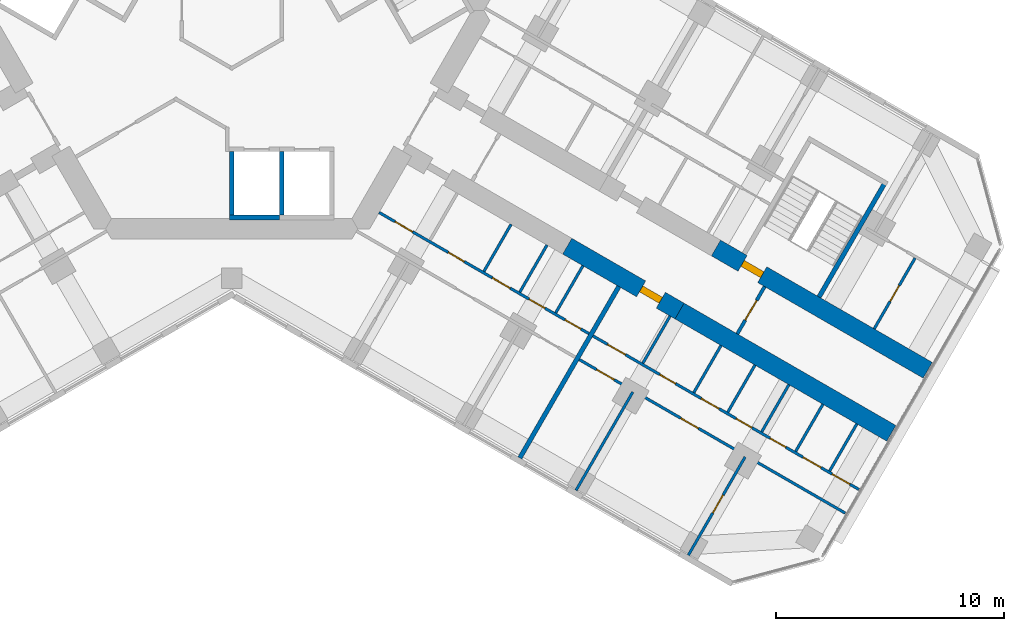
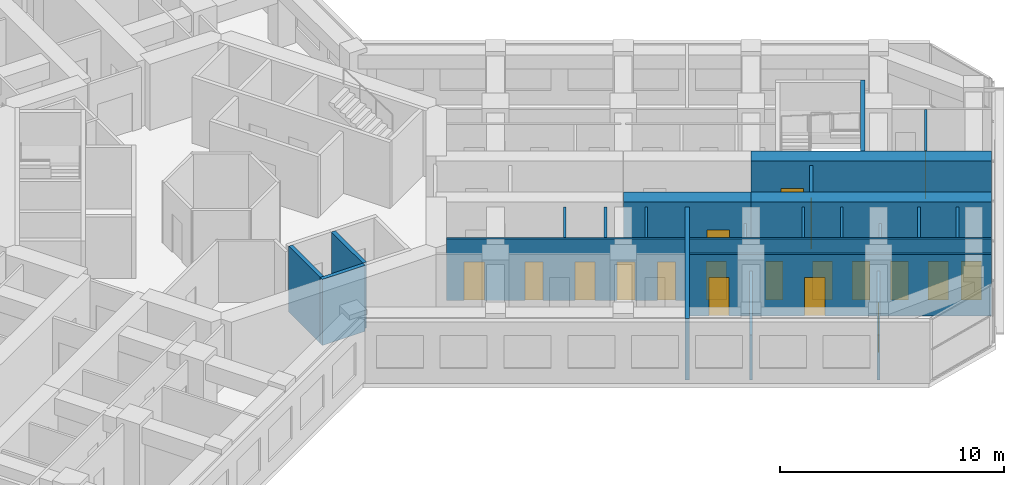
# One storey, part 14 of 20: 24 walls, 19 doors, 19 openings.
"""IFC4 building model written with IfcOpenShell, lengths in metres."""

from ifc_helpers import new_model, si_unit, direction, frame, frame_2d, origin, place, context, subcontext, project, spatial, rectangle, extrude, material, layer, layer_set, type_object, element, fill, save


model = new_model("IFC4")

# Units and contexts
model_context = context("Model", 3, precision=1e-05, world=origin(), true_north=direction((0.0, 1.0)))
body_context = subcontext(model_context, "Body", "Model", "MODEL_VIEW")
ifc_project = project(units=[si_unit("LENGTHUNIT", "METRE"), si_unit("AREAUNIT", "SQUARE_METRE"), si_unit("VOLUMEUNIT", "CUBIC_METRE"), si_unit("PLANEANGLEUNIT", "RADIAN"), si_unit("MASSUNIT", "GRAM", prefix="KILO")], contexts=[model_context])

# Site, building, storey
site_placement = place(None, origin())
site = spatial("IfcSite", under=ifc_project, at=site_placement, CompositionType="ELEMENT")
building_placement = place(site_placement, origin())
building = spatial("IfcBuilding", under=site, at=building_placement, Name="Kosmar Iwan School Tower", CompositionType="ELEMENT")
storey_placement = place(building_placement, frame((0.0, 0.0, 131.0)))
storey = spatial("IfcBuildingStorey", under=building, at=storey_placement, Name="L32", CompositionType="ELEMENT", Elevation=131.0)

# Wall, opening, door
ifc_material_1 = material(Name="Concrete C50/60", Category="concrete")
ifc_layer_1 = layer(ifc_material_1, 0.800048828125)
ifc_layer_set_1 = layer_set([ifc_layer_1], Name="Corridor buttress wall 800")
wall_type_1 = type_object("IfcWallType", Name="Corridor buttress wall 800", PredefinedType="SHEAR", material=ifc_layer_set_1)
wall_1_placement = place(storey_placement, frame((21.281494140625, -10.439453125, 0.0), z_axis=(0.0, 0.0, 1.0), x_axis=(0.866032345022, -0.499987977232, 0.0)))
wall_1 = element("IfcWall", 1, at=wall_1_placement, inside=storey, type_object=wall_type_1, Name="Corridor wall CL bay 3", PredefinedType="SHEAR", context=body_context, shape_type="SweptSolid", body=[
    extrude(rectangle(XDim=10.744873046875, YDim=0.800048828125, at=frame_2d((5.37255859375, 0.0))), origin(), (0.0, 0.0, 1.0), 3.60009765625),
])
opening_1_placement = place(wall_1_placement, frame((1.35009765625, 0.0, 0.0)))
opening_1 = element("IfcOpeningElement", 2, at=opening_1_placement, cuts=wall_1, Name="Opening D6", PredefinedType="OPENING", context=body_context, shape_type="SweptSolid", body=[
    extrude(rectangle(XDim=1.0, YDim=2.10009765625, at=frame_2d((0.5, 1.050048828125))), frame((0.0, 0.412109375, 0.0), z_axis=(0.0, -1.0, 0.0), x_axis=(1.0, 0.0, 0.0)), (0.0, 0.0, 1.0), 0.823974609375),
])
ifc_material_2 = material(Name="Steel fire door", Category="steel")
door_type_1 = type_object("IfcDoorType", Name="Stair door 1000x2100", OperationType="SINGLE_SWING_LEFT", PredefinedType="DOOR", material=ifc_material_2)
door_1_placement = place(opening_1_placement, origin())
door_1 = element("IfcDoor", 3, at=door_1_placement, inside=storey, type_object=door_type_1, Name="Stair WS3 door L32", OperationType="SINGLE_SWING_LEFT", OverallHeight=2.10009765625, OverallWidth=1.0, PredefinedType="DOOR", context=body_context, shape_type="SweptSolid", body=[
    extrude(rectangle(XDim=1.0, YDim=2.10009765625, at=frame_2d((0.5, 1.050048828125))), frame((0.0, 0.14990234375, 0.0), z_axis=(0.0, -1.0, 0.0), x_axis=(1.0, 0.0, 0.0)), (0.0, 0.0, 1.0), 0.300048828125),
])
fill(opening_1, door_1)

wall_2_placement = place(storey_placement, frame((14.7451171875, -10.360595703125, 0.0), z_axis=(0.0, 0.0, 1.0), x_axis=(0.866015111908, -0.50001782563, 0.0)))
wall_2 = element("IfcWall", 4, at=wall_2_placement, inside=storey, type_object=wall_type_1, Name="Corridor wall CR bay 2", PredefinedType="SHEAR", context=body_context, shape_type="SweptSolid", body=[
    extrude(rectangle(XDim=5.699951171875, YDim=0.800048828125, at=frame_2d((2.85009765625, 0.0))), origin(), (0.0, 0.0, 1.0), 3.60009765625),
])
opening_2_placement = place(wall_2_placement, frame((3.75, 0.0, 0.0)))
opening_2 = element("IfcOpeningElement", 5, at=opening_2_placement, cuts=wall_2, Name="Opening D1", PredefinedType="OPENING", context=body_context, shape_type="SweptSolid", body=[
    extrude(rectangle(XDim=1.0, YDim=2.10009765625, at=frame_2d((0.5, 1.050048828125))), frame((0.0, 0.412109375, 0.0), z_axis=(0.0, -1.0, 0.0), x_axis=(1.0, 0.0, 0.0)), (0.0, 0.0, 1.0), 0.823974609375),
])
ifc_material_3 = material(Name="Timber fire door in steel frame", Category="steel")
door_type_2 = type_object("IfcDoorType", Name="Flat entrance door 1000x2100", OperationType="SINGLE_SWING_LEFT", PredefinedType="DOOR", material=ifc_material_3)
door_2_placement = place(opening_2_placement, origin())
door_2 = element("IfcDoor", 6, at=door_2_placement, inside=storey, type_object=door_type_2, Name="Flat L32-CR2 entrance door", OperationType="SINGLE_SWING_RIGHT", OverallHeight=2.10009765625, OverallWidth=1.0, PredefinedType="DOOR", context=body_context, shape_type="SweptSolid", body=[
    extrude(rectangle(XDim=1.0, YDim=2.10009765625, at=frame_2d((0.5, 1.050048828125))), frame((0.0, 0.14990234375, 0.0), z_axis=(0.0, -1.0, 0.0), x_axis=(1.0, 0.0, 0.0)), (0.0, 0.0, 1.0), 0.300048828125),
])
fill(opening_2, door_2)

# Wall
wall_3_placement = place(storey_placement, frame((19.681396484375, -13.210693359375, 0.0), z_axis=(0.0, 0.0, 1.0), x_axis=(0.866028186671, -0.499995179869, 0.0)))
element("IfcWall", 7, at=wall_3_placement, inside=storey, type_object=wall_type_1, Name="Corridor wall CR bay 3", PredefinedType="SHEAR", context=body_context, shape_type="SweptSolid", body=[
    extrude(rectangle(XDim=10.7451171875, YDim=0.800048828125, at=frame_2d((5.37255859375, 0.0))), origin(), (0.0, 0.0, 1.0), 3.60009765625),
])

# Wall, opening, door
ifc_material_4 = material(Name="Gypsum board on steel studs, fire-rated", Category="steel")
ifc_layer_2 = layer(ifc_material_4, 0.14990234375)
ifc_layer_set_2 = layer_set([ifc_layer_2], Name="Corridor end wall 150")
wall_type_2 = type_object("IfcWallType", Name="Corridor end wall 150", PredefinedType="PARTITIONING", material=ifc_layer_set_2)
wall_4_placement = place(storey_placement, frame((22.2197265625, -14.21435546875, 0.0), z_axis=(0.0, 0.0, 1.0), x_axis=(0.499957262057, 0.866050077142, 0.0)))
wall_4 = element("IfcWall", 8, at=wall_4_placement, inside=storey, type_object=wall_type_2, Name="Partition L32-C-CE", PredefinedType="PARTITIONING", context=body_context, shape_type="SweptSolid", body=[
    extrude(rectangle(XDim=2.400146484375, YDim=0.14990234375, at=frame_2d((1.2001953125, 0.0))), origin(), (0.0, 0.0, 1.0), 3.35009765625),
])
opening_3_placement = place(wall_4_placement, frame((0.699951171875, 0.0, 0.0)))
opening_3 = element("IfcOpeningElement", 9, at=opening_3_placement, cuts=wall_4, Name="Opening D13", PredefinedType="OPENING", context=body_context, shape_type="SweptSolid", body=[
    extrude(rectangle(XDim=1.0, YDim=2.10009765625, at=frame_2d((0.5, 1.050048828125))), frame((0.0, 0.0869140625, 0.0), z_axis=(0.0, -1.0, 0.0), x_axis=(1.0, 0.0, 0.0)), (0.0, 0.0, 1.0), 0.173828125),
])
ifc_material_5 = material(Name="Timber fire door with vision panel", Category="wood")
door_type_3 = type_object("IfcDoorType", Name="Corridor end door 1000x2100", OperationType="SINGLE_SWING_LEFT", PredefinedType="DOOR", material=ifc_material_5)
door_3_placement = place(opening_3_placement, origin())
door_3 = element("IfcDoor", 10, at=door_3_placement, inside=storey, type_object=door_type_3, Name="Family study room door L32-C", OperationType="SINGLE_SWING_LEFT", OverallHeight=2.10009765625, OverallWidth=1.0, PredefinedType="DOOR", context=body_context, shape_type="SweptSolid", body=[
    extrude(rectangle(XDim=1.0, YDim=2.10009765625, at=frame_2d((0.5, 1.050048828125))), frame((0.0, 0.02490234375, 0.0), z_axis=(0.0, -1.0, 0.0), x_axis=(1.0, 0.0, 0.0)), (0.0, 0.0, 1.0), 0.050048828125),
])
fill(opening_3, door_3)

ifc_material_6 = material(Name="Gypsum board on steel studs", Category="steel")
ifc_layer_3 = layer(ifc_material_6, 0.1201171875)
ifc_layer_set_3 = layer_set([ifc_layer_3], Name="Dwelling partition 120")
wall_type_3 = type_object("IfcWallType", Name="Dwelling partition 120", PredefinedType="PARTITIONING", material=ifc_layer_set_3)
wall_5_placement = place(storey_placement, frame((28.236572265625, -13.992919921875, 0.0), z_axis=(0.0, 0.0, 1.0), x_axis=(0.499971658126, 0.866041766355, 0.0)))
wall_5 = element("IfcWall", 11, at=wall_5_placement, inside=storey, type_object=wall_type_3, Name="Partition L32-CL2-TY", PredefinedType="PARTITIONING", context=body_context, shape_type="SweptSolid", body=[
    extrude(rectangle(XDim=3.590087890625, YDim=0.1201171875, at=frame_2d((1.794921875, 0.0))), origin(), (0.0, 0.0, 1.0), 3.35009765625),
])
opening_4_placement = place(wall_5_placement, frame((1.39501953125, 0.0, 0.0)))
opening_4 = element("IfcOpeningElement", 12, at=opening_4_placement, cuts=wall_5, Name="Opening D3", PredefinedType="OPENING", context=body_context, shape_type="SweptSolid", body=[
    extrude(rectangle(XDim=0.800048828125, YDim=2.10009765625, at=frame_2d((0.39990234375, 1.050048828125))), frame((0.0, 0.072021484375, 0.0), z_axis=(0.0, -1.0, 0.0), x_axis=(1.0, 0.0, 0.0)), (0.0, 0.0, 1.0), 0.14404296875),
])
ifc_material_7 = material(Name="Timber door in timber frame", Category="wood")
door_type_4 = type_object("IfcDoorType", Name="Sanitary room door 800x2100", OperationType="SINGLE_SWING_LEFT", PredefinedType="DOOR", material=ifc_material_7)
door_4_placement = place(opening_4_placement, origin())
door_4 = element("IfcDoor", 13, at=door_4_placement, inside=storey, type_object=door_type_4, Name="Shower room door L32-CL2-T4", OperationType="SINGLE_SWING_LEFT", OverallHeight=2.10009765625, OverallWidth=0.800048828125, PredefinedType="DOOR", context=body_context, shape_type="SweptSolid", body=[
    extrude(rectangle(XDim=0.800048828125, YDim=2.10009765625, at=frame_2d((0.39990234375, 1.050048828125))), frame((0.0, 0.02490234375, 0.0), z_axis=(0.0, -1.0, 0.0), x_axis=(1.0, 0.0, 0.0)), (0.0, 0.0, 1.0), 0.050048828125),
])
fill(opening_4, door_4)

# Wall, openings, doors
wall_6_placement = place(storey_placement, frame((6.478515625, -8.87890625, 0.0), z_axis=(0.0, 0.0, 1.0), x_axis=(0.866026778288, -0.499997619282, 0.0)))
wall_6 = element("IfcWall", 14, at=wall_6_placement, inside=storey, type_object=wall_type_3, Name="Partition L32-CR1-W1", PredefinedType="PARTITIONING", context=body_context, shape_type="SweptSolid", body=[
    extrude(rectangle(XDim=10.64990234375, YDim=0.1201171875, at=frame_2d((5.324951171875, 0.0))), origin(), (0.0, 0.0, 1.0), 3.35009765625),
])
opening_5_placement = place(wall_6_placement, frame((0.800048828125, 0.0, 0.0)))
opening_5 = element("IfcOpeningElement", 15, at=opening_5_placement, cuts=wall_6, Name="Opening D2", PredefinedType="OPENING", context=body_context, shape_type="SweptSolid", body=[
    extrude(rectangle(XDim=0.89990234375, YDim=2.10009765625, at=frame_2d((0.449951171875, 1.050048828125))), frame((0.0, 0.072021484375, 0.0), z_axis=(0.0, -1.0, 0.0), x_axis=(1.0, 0.0, 0.0)), (0.0, 0.0, 1.0), 0.14404296875),
])
opening_6_placement = place(wall_6_placement, frame((3.5166015625, 0.0, 0.0)))
opening_6 = element("IfcOpeningElement", 16, at=opening_6_placement, cuts=wall_6, Name="Opening D3", PredefinedType="OPENING", context=body_context, shape_type="SweptSolid", body=[
    extrude(rectangle(XDim=0.800048828125, YDim=2.10009765625, at=frame_2d((0.39990234375, 1.050048828125))), frame((0.0, 0.072021484375, 0.0), z_axis=(0.0, -1.0, 0.0), x_axis=(1.0, 0.0, 0.0)), (0.0, 0.0, 1.0), 0.14404296875),
])
opening_7_placement = place(wall_6_placement, frame((5.744384765625, 0.0, 0.0)))
opening_7 = element("IfcOpeningElement", 17, at=opening_7_placement, cuts=wall_6, Name="Opening D2", PredefinedType="OPENING", context=body_context, shape_type="SweptSolid", body=[
    extrude(rectangle(XDim=0.89990234375, YDim=2.10009765625, at=frame_2d((0.449951171875, 1.050048828125))), frame((0.0, 0.072021484375, 0.0), z_axis=(0.0, -1.0, 0.0), x_axis=(1.0, 0.0, 0.0)), (0.0, 0.0, 1.0), 0.14404296875),
])
opening_8_placement = place(wall_6_placement, frame((7.61669921875, 0.0, 0.0)))
opening_8 = element("IfcOpeningElement", 18, at=opening_8_placement, cuts=wall_6, Name="Opening D3", PredefinedType="OPENING", context=body_context, shape_type="SweptSolid", body=[
    extrude(rectangle(XDim=0.800048828125, YDim=2.10009765625, at=frame_2d((0.39990234375, 1.050048828125))), frame((0.0, 0.072021484375, 0.0), z_axis=(0.0, -1.0, 0.0), x_axis=(1.0, 0.0, 0.0)), (0.0, 0.0, 1.0), 0.14404296875),
])
opening_9_placement = place(wall_6_placement, frame((9.43896484375, 0.0, 0.0)))
opening_9 = element("IfcOpeningElement", 19, at=opening_9_placement, cuts=wall_6, Name="Opening D3", PredefinedType="OPENING", context=body_context, shape_type="SweptSolid", body=[
    extrude(rectangle(XDim=0.800048828125, YDim=2.10009765625, at=frame_2d((0.39990234375, 1.050048828125))), frame((0.0, 0.072021484375, 0.0), z_axis=(0.0, -1.0, 0.0), x_axis=(1.0, 0.0, 0.0)), (0.0, 0.0, 1.0), 0.14404296875),
])
ifc_material_8 = material(Name="Timber door in timber frame", Category="wood")
door_type_5 = type_object("IfcDoorType", Name="Internal door 900x2100", OperationType="SINGLE_SWING_LEFT", PredefinedType="DOOR", material=ifc_material_8)
door_5_placement = place(opening_5_placement, origin())
door_5 = element("IfcDoor", 20, at=door_5_placement, inside=storey, type_object=door_type_5, Name="Entrance hall door L32-CR1-S1", OperationType="SINGLE_SWING_RIGHT", OverallHeight=2.10009765625, OverallWidth=0.89990234375, PredefinedType="DOOR", context=body_context, shape_type="SweptSolid", body=[
    extrude(rectangle(XDim=0.89990234375, YDim=2.10009765625, at=frame_2d((0.449951171875, 1.050048828125))), frame((0.0, 0.02490234375, 0.0), z_axis=(0.0, -1.0, 0.0), x_axis=(1.0, 0.0, 0.0)), (0.0, 0.0, 1.0), 0.050048828125),
])
fill(opening_5, door_5)
door_6_placement = place(opening_7_placement, origin())
door_6 = element("IfcDoor", 21, at=door_6_placement, inside=storey, type_object=door_type_5, Name="Pantry door L32-CR1-S3", OperationType="SINGLE_SWING_RIGHT", OverallHeight=2.10009765625, OverallWidth=0.89990234375, PredefinedType="DOOR", context=body_context, shape_type="SweptSolid", body=[
    extrude(rectangle(XDim=0.89990234375, YDim=2.10009765625, at=frame_2d((0.449951171875, 1.050048828125))), frame((0.0, 0.02490234375, 0.0), z_axis=(0.0, -1.0, 0.0), x_axis=(1.0, 0.0, 0.0)), (0.0, 0.0, 1.0), 0.050048828125),
])
fill(opening_7, door_6)
door_7_placement = place(opening_6_placement, origin())
door_7 = element("IfcDoor", 22, at=door_7_placement, inside=storey, type_object=door_type_4, Name="Bathroom door L32-CR1-S2", OperationType="SINGLE_SWING_LEFT", OverallHeight=2.10009765625, OverallWidth=0.800048828125, PredefinedType="DOOR", context=body_context, shape_type="SweptSolid", body=[
    extrude(rectangle(XDim=0.800048828125, YDim=2.10009765625, at=frame_2d((0.39990234375, 1.050048828125))), frame((0.0, 0.02490234375, 0.0), z_axis=(0.0, -1.0, 0.0), x_axis=(1.0, 0.0, 0.0)), (0.0, 0.0, 1.0), 0.050048828125),
])
fill(opening_6, door_7)
door_8_placement = place(opening_8_placement, origin())
door_8 = element("IfcDoor", 23, at=door_8_placement, inside=storey, type_object=door_type_4, Name="WC door L32-CR1-S4", OperationType="SINGLE_SWING_LEFT", OverallHeight=2.10009765625, OverallWidth=0.800048828125, PredefinedType="DOOR", context=body_context, shape_type="SweptSolid", body=[
    extrude(rectangle(XDim=0.800048828125, YDim=2.10009765625, at=frame_2d((0.39990234375, 1.050048828125))), frame((0.0, 0.02490234375, 0.0), z_axis=(0.0, -1.0, 0.0), x_axis=(1.0, 0.0, 0.0)), (0.0, 0.0, 1.0), 0.050048828125),
])
fill(opening_8, door_8)
door_9_placement = place(opening_9_placement, origin())
door_9 = element("IfcDoor", 24, at=door_9_placement, inside=storey, type_object=door_type_4, Name="Store door L32-CR1-S5", OperationType="SINGLE_SWING_RIGHT", OverallHeight=2.10009765625, OverallWidth=0.800048828125, PredefinedType="DOOR", context=body_context, shape_type="SweptSolid", body=[
    extrude(rectangle(XDim=0.800048828125, YDim=2.10009765625, at=frame_2d((0.39990234375, 1.050048828125))), frame((0.0, 0.02490234375, 0.0), z_axis=(0.0, -1.0, 0.0), x_axis=(1.0, 0.0, 0.0)), (0.0, 0.0, 1.0), 0.050048828125),
])
fill(opening_9, door_9)

# Walls
for number, where, z_axis, x_axis, name in (
    (25, (12.279052734375, -9.398681640625, 0.0), (0.0, 0.0, 1.0), (-0.500017192868, -0.86601547725, 0.0), "Partition L32-CR1-Y2"),
    (26, (13.857177734375, -10.309814453125, 0.0), (0.0, 0.0, 1.0), (-0.500017192868, -0.86601547725, 0.0), "Partition L32-CR1-Y3"),
    (27, (15.435302734375, -11.220947265625, 0.0), (0.0, 0.0, 1.0), (-0.500017192868, -0.86601547725, 0.0), "Partition L32-CR1-Y4"),
):
    element("IfcWall", number, at=place(storey_placement, frame(where, z_axis=z_axis, x_axis=x_axis)), inside=storey, type_object=wall_type_3, Name=name, PredefinedType="PARTITIONING", context=body_context, shape_type="SweptSolid", body=[
        extrude(rectangle(XDim=2.39013671875, YDim=0.1201171875, at=frame_2d((1.195068359375, 0.0))), origin(), (0.0, 0.0, 1.0), 3.35009765625),
    ])

# Wall, openings, doors
wall_7_placement = place(storey_placement, frame((15.875, -14.3037109375, 0.0), z_axis=(0.0, 0.0, 1.0), x_axis=(0.866023503214, -0.50000329187, 0.0)))
wall_7 = element("IfcWall", 28, at=wall_7_placement, inside=storey, type_object=wall_type_3, Name="Partition L32-CR2-W1", PredefinedType="PARTITIONING", context=body_context, shape_type="SweptSolid", body=[
    extrude(rectangle(XDim=13.4951171875, YDim=0.1201171875, at=frame_2d((6.74755859375, 0.0))), origin(), (0.0, 0.0, 1.0), 3.35009765625),
])
opening_10_placement = place(wall_7_placement, frame((0.75, 0.0, 0.0)))
opening_10 = element("IfcOpeningElement", 29, at=opening_10_placement, cuts=wall_7, Name="Opening D2", PredefinedType="OPENING", context=body_context, shape_type="SweptSolid", body=[
    extrude(rectangle(XDim=0.89990234375, YDim=2.10009765625, at=frame_2d((0.449951171875, 1.050048828125))), frame((0.0, 0.072021484375, 0.0), z_axis=(0.0, -1.0, 0.0), x_axis=(1.0, 0.0, 0.0)), (0.0, 0.0, 1.0), 0.14404296875),
])
opening_11_placement = place(wall_7_placement, frame((3.392333984375, 0.0, 0.0)))
opening_11 = element("IfcOpeningElement", 30, at=opening_11_placement, cuts=wall_7, Name="Opening D3", PredefinedType="OPENING", context=body_context, shape_type="SweptSolid", body=[
    extrude(rectangle(XDim=0.800048828125, YDim=2.10009765625, at=frame_2d((0.39990234375, 1.050048828125))), frame((0.0, 0.072021484375, 0.0), z_axis=(0.0, -1.0, 0.0), x_axis=(1.0, 0.0, 0.0)), (0.0, 0.0, 1.0), 0.14404296875),
])
opening_12_placement = place(wall_7_placement, frame((5.49609375, 0.0, 0.0)))
opening_12 = element("IfcOpeningElement", 31, at=opening_12_placement, cuts=wall_7, Name="Opening D2", PredefinedType="OPENING", context=body_context, shape_type="SweptSolid", body=[
    extrude(rectangle(XDim=0.89990234375, YDim=2.10009765625, at=frame_2d((0.449951171875, 1.050048828125))), frame((0.0, 0.072021484375, 0.0), z_axis=(0.0, -1.0, 0.0), x_axis=(1.0, 0.0, 0.0)), (0.0, 0.0, 1.0), 0.14404296875),
])
opening_13_placement = place(wall_7_placement, frame((7.269287109375, 0.0, 0.0)))
opening_13 = element("IfcOpeningElement", 32, at=opening_13_placement, cuts=wall_7, Name="Opening D3", PredefinedType="OPENING", context=body_context, shape_type="SweptSolid", body=[
    extrude(rectangle(XDim=0.800048828125, YDim=2.10009765625, at=frame_2d((0.39990234375, 1.050048828125))), frame((0.0, 0.072021484375, 0.0), z_axis=(0.0, -1.0, 0.0), x_axis=(1.0, 0.0, 0.0)), (0.0, 0.0, 1.0), 0.14404296875),
])
opening_14_placement = place(wall_7_placement, frame((8.992431640625, 0.0, 0.0)))
opening_14 = element("IfcOpeningElement", 33, at=opening_14_placement, cuts=wall_7, Name="Opening D3", PredefinedType="OPENING", context=body_context, shape_type="SweptSolid", body=[
    extrude(rectangle(XDim=0.800048828125, YDim=2.10009765625, at=frame_2d((0.39990234375, 1.050048828125))), frame((0.0, 0.072021484375, 0.0), z_axis=(0.0, -1.0, 0.0), x_axis=(1.0, 0.0, 0.0)), (0.0, 0.0, 1.0), 0.14404296875),
])
opening_15_placement = place(wall_7_placement, frame((10.665283203125, 0.0, 0.0)))
opening_15 = element("IfcOpeningElement", 34, at=opening_15_placement, cuts=wall_7, Name="Opening D2", PredefinedType="OPENING", context=body_context, shape_type="SweptSolid", body=[
    extrude(rectangle(XDim=0.89990234375, YDim=2.10009765625, at=frame_2d((0.449951171875, 1.050048828125))), frame((0.0, 0.072021484375, 0.0), z_axis=(0.0, -1.0, 0.0), x_axis=(1.0, 0.0, 0.0)), (0.0, 0.0, 1.0), 0.14404296875),
])
opening_16_placement = place(wall_7_placement, frame((12.136962890625, 0.0, 0.0)))
opening_16 = element("IfcOpeningElement", 35, at=opening_16_placement, cuts=wall_7, Name="Opening D2", PredefinedType="OPENING", context=body_context, shape_type="SweptSolid", body=[
    extrude(rectangle(XDim=0.89990234375, YDim=2.10009765625, at=frame_2d((0.449951171875, 1.050048828125))), frame((0.0, 0.072021484375, 0.0), z_axis=(0.0, -1.0, 0.0), x_axis=(1.0, 0.0, 0.0)), (0.0, 0.0, 1.0), 0.14404296875),
])
door_10_placement = place(opening_10_placement, origin())
door_10 = element("IfcDoor", 36, at=door_10_placement, inside=storey, type_object=door_type_5, Name="Entrance hall door L32-CR2-S1", OperationType="SINGLE_SWING_RIGHT", OverallHeight=2.10009765625, OverallWidth=0.89990234375, PredefinedType="DOOR", context=body_context, shape_type="SweptSolid", body=[
    extrude(rectangle(XDim=0.89990234375, YDim=2.10009765625, at=frame_2d((0.449951171875, 1.050048828125))), frame((0.0, 0.02490234375, 0.0), z_axis=(0.0, -1.0, 0.0), x_axis=(1.0, 0.0, 0.0)), (0.0, 0.0, 1.0), 0.050048828125),
])
fill(opening_10, door_10)
door_11_placement = place(opening_12_placement, origin())
door_11 = element("IfcDoor", 37, at=door_11_placement, inside=storey, type_object=door_type_5, Name="Pantry door L32-CR2-S3", OperationType="SINGLE_SWING_RIGHT", OverallHeight=2.10009765625, OverallWidth=0.89990234375, PredefinedType="DOOR", context=body_context, shape_type="SweptSolid", body=[
    extrude(rectangle(XDim=0.89990234375, YDim=2.10009765625, at=frame_2d((0.449951171875, 1.050048828125))), frame((0.0, 0.02490234375, 0.0), z_axis=(0.0, -1.0, 0.0), x_axis=(1.0, 0.0, 0.0)), (0.0, 0.0, 1.0), 0.050048828125),
])
fill(opening_12, door_11)
door_12_placement = place(opening_15_placement, origin())
door_12 = element("IfcDoor", 38, at=door_12_placement, inside=storey, type_object=door_type_5, Name="Utility room door L32-CR2-S6", OperationType="SINGLE_SWING_LEFT", OverallHeight=2.10009765625, OverallWidth=0.89990234375, PredefinedType="DOOR", context=body_context, shape_type="SweptSolid", body=[
    extrude(rectangle(XDim=0.89990234375, YDim=2.10009765625, at=frame_2d((0.449951171875, 1.050048828125))), frame((0.0, 0.02490234375, 0.0), z_axis=(0.0, -1.0, 0.0), x_axis=(1.0, 0.0, 0.0)), (0.0, 0.0, 1.0), 0.050048828125),
])
fill(opening_15, door_12)
door_13_placement = place(opening_16_placement, origin())
door_13 = element("IfcDoor", 39, at=door_13_placement, inside=storey, type_object=door_type_5, Name="Dressing room door L32-CR2-S7", OperationType="SINGLE_SWING_LEFT", OverallHeight=2.10009765625, OverallWidth=0.89990234375, PredefinedType="DOOR", context=body_context, shape_type="SweptSolid", body=[
    extrude(rectangle(XDim=0.89990234375, YDim=2.10009765625, at=frame_2d((0.449951171875, 1.050048828125))), frame((0.0, 0.02490234375, 0.0), z_axis=(0.0, -1.0, 0.0), x_axis=(1.0, 0.0, 0.0)), (0.0, 0.0, 1.0), 0.050048828125),
])
fill(opening_16, door_13)
door_14_placement = place(opening_11_placement, origin())
door_14 = element("IfcDoor", 40, at=door_14_placement, inside=storey, type_object=door_type_4, Name="Bathroom door L32-CR2-S2", OperationType="SINGLE_SWING_LEFT", OverallHeight=2.10009765625, OverallWidth=0.800048828125, PredefinedType="DOOR", context=body_context, shape_type="SweptSolid", body=[
    extrude(rectangle(XDim=0.800048828125, YDim=2.10009765625, at=frame_2d((0.39990234375, 1.050048828125))), frame((0.0, 0.02490234375, 0.0), z_axis=(0.0, -1.0, 0.0), x_axis=(1.0, 0.0, 0.0)), (0.0, 0.0, 1.0), 0.050048828125),
])
fill(opening_11, door_14)
door_15_placement = place(opening_13_placement, origin())
door_15 = element("IfcDoor", 41, at=door_15_placement, inside=storey, type_object=door_type_4, Name="WC door L32-CR2-S4", OperationType="SINGLE_SWING_LEFT", OverallHeight=2.10009765625, OverallWidth=0.800048828125, PredefinedType="DOOR", context=body_context, shape_type="SweptSolid", body=[
    extrude(rectangle(XDim=0.800048828125, YDim=2.10009765625, at=frame_2d((0.39990234375, 1.050048828125))), frame((0.0, 0.02490234375, 0.0), z_axis=(0.0, -1.0, 0.0), x_axis=(1.0, 0.0, 0.0)), (0.0, 0.0, 1.0), 0.050048828125),
])
fill(opening_13, door_15)
door_16_placement = place(opening_14_placement, origin())
door_16 = element("IfcDoor", 42, at=door_16_placement, inside=storey, type_object=door_type_4, Name="Store door L32-CR2-S5", OperationType="SINGLE_SWING_RIGHT", OverallHeight=2.10009765625, OverallWidth=0.800048828125, PredefinedType="DOOR", context=body_context, shape_type="SweptSolid", body=[
    extrude(rectangle(XDim=0.800048828125, YDim=2.10009765625, at=frame_2d((0.39990234375, 1.050048828125))), frame((0.0, 0.02490234375, 0.0), z_axis=(0.0, -1.0, 0.0), x_axis=(1.0, 0.0, 0.0)), (0.0, 0.0, 1.0), 0.050048828125),
])
fill(opening_14, door_16)

wall_8_placement = place(storey_placement, frame((15.27490234375, -15.343017578125, 0.0), z_axis=(0.0, 0.0, 1.0), x_axis=(0.866023503214, -0.50000329187, 0.0)))
wall_8 = element("IfcWall", 43, at=wall_8_placement, inside=storey, type_object=wall_type_3, Name="Partition L32-CR2-W2", PredefinedType="PARTITIONING", context=body_context, shape_type="SweptSolid", body=[
    extrude(rectangle(XDim=13.4951171875, YDim=0.1201171875, at=frame_2d((6.74755859375, 0.0))), origin(), (0.0, 0.0, 1.0), 3.35009765625),
])
opening_17_placement = place(wall_8_placement, frame((0.875, 0.0, 0.0)))
opening_17 = element("IfcOpeningElement", 44, at=opening_17_placement, cuts=wall_8, Name="Opening D2", PredefinedType="OPENING", context=body_context, shape_type="SweptSolid", body=[
    extrude(rectangle(XDim=0.89990234375, YDim=2.10009765625, at=frame_2d((0.449951171875, 1.050048828125))), frame((0.0, 0.072021484375, 0.0), z_axis=(0.0, -1.0, 0.0), x_axis=(1.0, 0.0, 0.0)), (0.0, 0.0, 1.0), 0.14404296875),
])
opening_18_placement = place(wall_8_placement, frame((5.14990234375, 0.0, 0.0)))
opening_18 = element("IfcOpeningElement", 45, at=opening_18_placement, cuts=wall_8, Name="Opening D2", PredefinedType="OPENING", context=body_context, shape_type="SweptSolid", body=[
    extrude(rectangle(XDim=0.89990234375, YDim=2.10009765625, at=frame_2d((0.449951171875, 1.050048828125))), frame((0.0, 0.072021484375, 0.0), z_axis=(0.0, -1.0, 0.0), x_axis=(1.0, 0.0, 0.0)), (0.0, 0.0, 1.0), 0.14404296875),
])
door_17_placement = place(opening_17_placement, origin())
door_17 = element("IfcDoor", 46, at=door_17_placement, inside=storey, type_object=door_type_5, Name="Bedroom 1 door L32-CR2-F1", OperationType="SINGLE_SWING_LEFT", OverallHeight=2.10009765625, OverallWidth=0.89990234375, PredefinedType="DOOR", context=body_context, shape_type="SweptSolid", body=[
    extrude(rectangle(XDim=0.89990234375, YDim=2.10009765625, at=frame_2d((0.449951171875, 1.050048828125))), frame((0.0, 0.02490234375, 0.0), z_axis=(0.0, -1.0, 0.0), x_axis=(1.0, 0.0, 0.0)), (0.0, 0.0, 1.0), 0.050048828125),
])
fill(opening_17, door_17)
door_18_placement = place(opening_18_placement, origin())
door_18 = element("IfcDoor", 47, at=door_18_placement, inside=storey, type_object=door_type_5, Name="Family room door L32-CR2-F2", OperationType="SINGLE_SWING_LEFT", OverallHeight=2.10009765625, OverallWidth=0.89990234375, PredefinedType="DOOR", context=body_context, shape_type="SweptSolid", body=[
    extrude(rectangle(XDim=0.89990234375, YDim=2.10009765625, at=frame_2d((0.449951171875, 1.050048828125))), frame((0.0, 0.02490234375, 0.0), z_axis=(0.0, -1.0, 0.0), x_axis=(1.0, 0.0, 0.0)), (0.0, 0.0, 1.0), 0.050048828125),
])
fill(opening_18, door_18)

# Wall
wall_9_placement = place(storey_placement, frame((17.62646484375, -16.77001953125, 0.0), z_axis=(0.0, 0.0, 1.0), x_axis=(-0.499975153383, -0.86603974851, 0.0)))
element("IfcWall", 48, at=wall_9_placement, inside=storey, type_object=wall_type_3, Name="Partition L32-CR2-X1", PredefinedType="PARTITIONING", context=body_context, shape_type="SweptSolid", body=[
    extrude(rectangle(XDim=4.989990234375, YDim=0.1201171875, at=frame_2d((2.4951171875, 0.0))), origin(), (0.0, 0.0, 1.0), 2.449951171875),
])

# Wall, opening, door
wall_10_placement = place(storey_placement, frame((22.562744140625, -19.6201171875, 0.0), z_axis=(0.0, 0.0, 1.0), x_axis=(-0.499996339024, -0.86602751744, 0.0)))
wall_10 = element("IfcWall", 49, at=wall_10_placement, inside=storey, type_object=wall_type_3, Name="Partition L32-CR2-X2", PredefinedType="PARTITIONING", context=body_context, shape_type="SweptSolid", body=[
    extrude(rectangle(XDim=4.98974609375, YDim=0.1201171875, at=frame_2d((2.494873046875, 0.0))), origin(), (0.0, 0.0, 1.0), 2.449951171875),
])
opening_19_placement = place(wall_10_placement, frame((1.93994140625, 0.0, 0.0)))
opening_19 = element("IfcOpeningElement", 50, at=opening_19_placement, cuts=wall_10, Name="Opening D2", PredefinedType="OPENING", context=body_context, shape_type="SweptSolid", body=[
    extrude(rectangle(XDim=0.89990234375, YDim=2.10009765625, at=frame_2d((0.449951171875, 1.050048828125))), frame((0.0, 0.072021484375, 0.0), z_axis=(0.0, -1.0, 0.0), x_axis=(1.0, 0.0, 0.0)), (0.0, 0.0, 1.0), 0.14404296875),
])
door_19_placement = place(opening_19_placement, origin())
door_19 = element("IfcDoor", 51, at=door_19_placement, inside=storey, type_object=door_type_5, Name="Kitchen and dining room door L32-CR2-F3", OperationType="SINGLE_SWING_LEFT", OverallHeight=2.10009765625, OverallWidth=0.89990234375, PredefinedType="DOOR", context=body_context, shape_type="SweptSolid", body=[
    extrude(rectangle(XDim=0.89990234375, YDim=2.10009765625, at=frame_2d((0.449951171875, 1.050048828125))), frame((0.0, 0.02490234375, 0.0), z_axis=(0.0, -1.0, 0.0), x_axis=(1.0, 0.0, 0.0)), (0.0, 0.0, 1.0), 0.050048828125),
])
fill(opening_19, door_19)

# Walls
wall_11_placement = place(storey_placement, frame((19.264892578125, -13.43212890625, 0.0), z_axis=(0.0, 0.0, 1.0), x_axis=(-0.499940577336, -0.866059708757, 0.0)))
element("IfcWall", 52, at=wall_11_placement, inside=storey, type_object=wall_type_3, Name="Partition L32-CR2-Y1", PredefinedType="PARTITIONING", context=body_context, shape_type="SweptSolid", body=[
    extrude(rectangle(XDim=2.389892578125, YDim=0.1201171875, at=frame_2d((1.19482421875, 0.0))), origin(), (0.0, 0.0, 1.0), 2.449951171875),
])
for number, where, z_axis, x_axis, name in (
    (53, (21.50341796875, -14.724365234375, 0.0), (0.0, 0.0, 1.0), (-0.500017192868, -0.86601547725, 0.0), "Partition L32-CR2-Y2"),
    (54, (22.99560546875, -15.5859375, 0.0), (0.0, 0.0, 1.0), (-0.500017192868, -0.86601547725, 0.0), "Partition L32-CR2-Y3"),
):
    element("IfcWall", number, at=place(storey_placement, frame(where, z_axis=z_axis, x_axis=x_axis)), inside=storey, type_object=wall_type_3, Name=name, PredefinedType="PARTITIONING", context=body_context, shape_type="SweptSolid", body=[
        extrude(rectangle(XDim=2.39013671875, YDim=0.1201171875, at=frame_2d((1.195068359375, 0.0))), origin(), (0.0, 0.0, 1.0), 3.35009765625),
    ])
wall_12_placement = place(storey_placement, frame((24.48779296875, -16.447509765625, 0.0), z_axis=(0.0, 0.0, 1.0), x_axis=(-0.500017192868, -0.86601547725, 0.0)))
element("IfcWall", 55, at=wall_12_placement, inside=storey, type_object=wall_type_3, Name="Partition L32-CR2-Y4", PredefinedType="PARTITIONING", context=body_context, shape_type="SweptSolid", body=[
    extrude(rectangle(XDim=2.39013671875, YDim=0.1201171875, at=frame_2d((1.195068359375, 0.0))), origin(), (0.0, 0.0, 1.0), 2.449951171875),
])
for number, where, z_axis, x_axis, name in (
    (56, (25.97998046875, -17.30908203125, 0.0), (0.0, 0.0, 1.0), (-0.500061428766, -0.865989934965, 0.0), "Partition L32-CR2-Y5"),
    (57, (27.47216796875, -18.17041015625, 0.0), (0.0, 0.0, 1.0), (-0.499940577336, -0.866059708757, 0.0), "Partition L32-CR2-Y6"),
):
    element("IfcWall", number, at=place(storey_placement, frame(where, z_axis=z_axis, x_axis=x_axis)), inside=storey, type_object=wall_type_3, Name=name, PredefinedType="PARTITIONING", context=body_context, shape_type="SweptSolid", body=[
        extrude(rectangle(XDim=2.389892578125, YDim=0.1201171875, at=frame_2d((1.19482421875, 0.0))), origin(), (0.0, 0.0, 1.0), 3.35009765625),
    ])
ifc_material_9 = material(Name="Concrete C35/45", Category="concrete")
ifc_layer_4 = layer(ifc_material_9, 0.199951171875)
ifc_layer_set_4 = layer_set([ifc_layer_4], Name="Escape stair wall 200")
wall_type_4 = type_object("IfcWallType", Name="Escape stair wall 200", PredefinedType="SHEAR", material=ifc_layer_set_4)
wall_13_placement = place(storey_placement, frame((25.8115234375, -12.593017578125, 0.0), z_axis=(0.0, 0.0, 1.0), x_axis=(0.500019744199, 0.866014004166, 0.0)))
element("IfcWall", 58, at=wall_13_placement, inside=storey, type_object=wall_type_4, Name="Stair WS3 wall", PredefinedType="SHEAR", context=body_context, shape_type="SweptSolid", body=[
    extrude(rectangle(XDim=5.900146484375, YDim=0.199951171875, at=frame_2d((2.9501953125, 0.0))), origin(), (0.0, 0.0, 1.0), 3.330078125),
])
ifc_material_10 = material(Name="Concrete C50/60", Category="concrete")
ifc_layer_5 = layer(ifc_material_10, 0.199951171875)
ifc_layer_set_5 = layer_set([ifc_layer_5], Name="Lift shaft wall 200")
wall_type_5 = type_object("IfcWallType", Name="Lift shaft wall 200", PredefinedType="SHEAR", material=ifc_layer_set_5)
wall_14_placement = place(storey_placement, frame((-0.10009765625, -9.10009765625, 0.0), z_axis=(0.0, 0.0, 1.0), x_axis=(1.0, 0.0, 0.0)))
element("IfcWall", 59, at=wall_14_placement, inside=storey, type_object=wall_type_5, Name="Lift and stair back wall BC", PredefinedType="SHEAR", context=body_context, shape_type="SweptSolid", body=[
    extrude(rectangle(XDim=2.2001953125, YDim=0.199951171875, at=frame_2d((1.10009765625, 0.0))), origin(), (0.0, 0.0, 1.0), 3.60009765625),
])
for number, where, z_axis, x_axis, name in (
    (60, (0.0, -6.199951171875, 0.0), (0.0, 0.0, 1.0), (0.0, -1.0, 0.0), "Lift shaft wall BC 0"),
    (61, (2.199951171875, -6.199951171875, 0.0), (0.0, 0.0, 1.0), (0.0, -1.0, 0.0), "Lift shaft wall BC 1"),
):
    element("IfcWall", number, at=place(storey_placement, frame(where, z_axis=z_axis, x_axis=x_axis)), inside=storey, type_object=wall_type_5, Name=name, PredefinedType="SHEAR", context=body_context, shape_type="SweptSolid", body=[
        extrude(rectangle(XDim=2.800048828125, YDim=0.199951171875, at=frame_2d((1.39990234375, 0.0))), origin(), (0.0, 0.0, 1.0), 3.60009765625),
    ])
ifc_material_11 = material(Name="Concrete block masonry", Category="masonry")
ifc_layer_6 = layer(ifc_material_11, 0.199951171875)
ifc_layer_set_6 = layer_set([ifc_layer_6], Name="Party wall 200")
wall_type_6 = type_object("IfcWallType", Name="Party wall 200", PredefinedType="PARTITIONING", material=ifc_layer_set_6)
wall_15_placement = place(storey_placement, frame((17.013427734375, -12.132080078125, 0.0), z_axis=(0.0, 0.0, 1.0), x_axis=(-0.500008278454, -0.866020624164, 0.0)))
element("IfcWall", 62, at=wall_15_placement, inside=storey, type_object=wall_type_6, Name="Partition L32-CR2-PW", PredefinedType="PARTITIONING", context=body_context, shape_type="SweptSolid", body=[
    extrude(rectangle(XDim=8.699951171875, YDim=0.199951171875, at=frame_2d((4.35009765625, 0.0))), origin(), (0.0, 0.0, 1.0), 3.35009765625),
])

save(model, "model.ifc")
